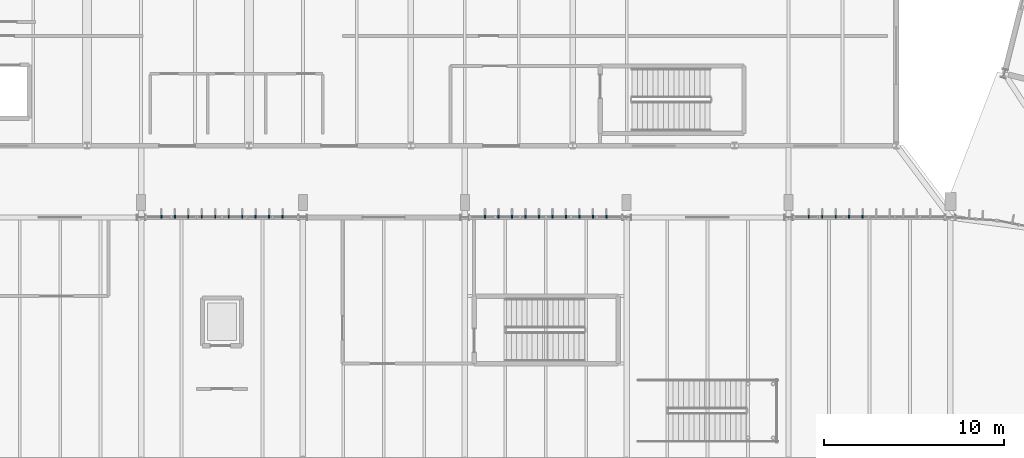
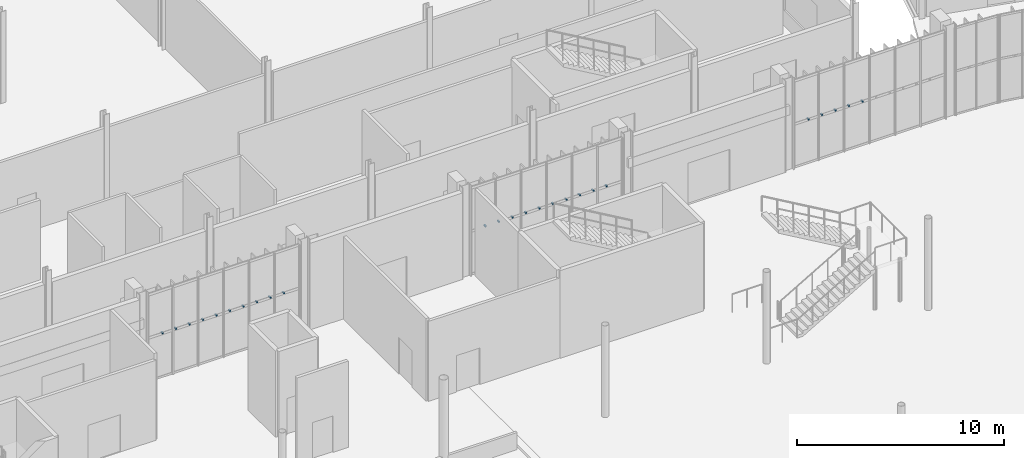
# One storey, part 138 of 158: 25 discrete accessories.
"""IFC4 building model written with IfcOpenShell, lengths in metres."""

from ifc_helpers import new_model, si_unit, derived_unit, direction, frame, origin, origin_2d, place, context, subcontext, project, spatial, rectangle, extrude, material, type_object, element, save


model = new_model("IFC4")

# Units and contexts
model_context = context("Model", 3, precision=1e-05, world=origin(), true_north=direction((0.0, 1.0)))
body_context = subcontext(model_context, "Body", "Model", "MODEL_VIEW")
ifc_project = project(units=[si_unit("LENGTHUNIT", "METRE"), si_unit("AREAUNIT", "SQUARE_METRE"), si_unit("VOLUMEUNIT", "CUBIC_METRE"), si_unit("PLANEANGLEUNIT", "RADIAN"), si_unit("MASSUNIT", "GRAM", prefix="KILO"), si_unit("THERMODYNAMICTEMPERATUREUNIT", "KELVIN"), si_unit("TIMEUNIT", "SECOND"), derived_unit("THERMALTRANSMITTANCEUNIT", [(si_unit("MASSUNIT", "GRAM", prefix="KILO"), 1), (si_unit("THERMODYNAMICTEMPERATUREUNIT", "KELVIN"), -1), (si_unit("TIMEUNIT", "SECOND"), -3)])], contexts=[model_context])

# Site, building, storey
site_placement = place(None, origin())
site = spatial("IfcSite", under=ifc_project, at=site_placement, CompositionType="ELEMENT")
building_placement = place(site_placement, origin())
building = spatial("IfcBuilding", under=site, at=building_placement, Name="Cambertide Market Hall", CompositionType="ELEMENT")
storey_placement = place(building_placement, origin())
storey = spatial("IfcBuildingStorey", under=building, at=storey_placement, Name="L01", CompositionType="ELEMENT", Elevation=0.0)

# Discrete accessories
ifc_material = material(Name="Stainless Steel Grade 316", Category="metal")
discrete_accessory_type = type_object("IfcDiscreteAccessoryType", Name="Stainless Fin Outrigger Tie Bracket", PredefinedType="BRACKET", material=ifc_material)
for number, where, z_axis, x_axis, name in (
    (1, (61.125, 92.0400390625, 2.5400390625), (0.0, 0.0, 1.0), (1.0, 0.0, 0.0), "CW-V1N-L01-3 Fin Tie Bracket 1"),
    (2, (61.875, 92.0400390625, 2.5400390625), (0.0, 0.0, 1.0), (1.0, 0.0, 0.0), "CW-V1N-L01-3 Fin Tie Bracket 2"),
    (3, (62.625, 92.0400390625, 2.5400390625), (0.0, 0.0, 1.0), (1.0, 0.0, 0.0), "CW-V1N-L01-3 Fin Tie Bracket 3"),
    (4, (63.375, 92.0400390625, 2.5400390625), (0.0, 0.0, 1.0), (1.0, 0.0, 0.0), "CW-V1N-L01-3 Fin Tie Bracket 4"),
    (5, (64.125, 92.0400390625, 2.5400390625), (0.0, 0.0, 1.0), (1.0, 0.0, 0.0), "CW-V1N-L01-3 Fin Tie Bracket 5"),
    (6, (64.875, 92.0400390625, 2.5400390625), (0.0, 0.0, 1.0), (1.0, 0.0, 0.0), "CW-V1N-L01-3 Fin Tie Bracket 6"),
    (7, (65.625, 92.0400390625, 2.5400390625), (0.0, 0.0, 1.0), (1.0, 0.0, 0.0), "CW-V1N-L01-3 Fin Tie Bracket 7"),
    (8, (66.375, 92.0400390625, 2.5400390625), (0.0, 0.0, 1.0), (1.0, 0.0, 0.0), "CW-V1N-L01-3 Fin Tie Bracket 8"),
    (9, (67.125, 92.0400390625, 2.5400390625), (0.0, 0.0, 1.0), (1.0, 0.0, 0.0), "CW-V1N-L01-3 Fin Tie Bracket 9"),
    (10, (67.875, 92.0400390625, 2.5400390625), (0.0, 0.0, 1.0), (1.0, 0.0, 0.0), "CW-V1N-L01-3 Fin Tie Bracket 10"),
    (11, (79.125, 92.0400390625, 2.5400390625), (0.0, 0.0, 1.0), (1.0, 0.0, 0.0), "CW-V1N-L01-5 Fin Tie Bracket 1"),
    (12, (79.875, 92.0400390625, 2.5400390625), (0.0, 0.0, 1.0), (1.0, 0.0, 0.0), "CW-V1N-L01-5 Fin Tie Bracket 2"),
    (13, (80.625, 92.0400390625, 2.5400390625), (0.0, 0.0, 1.0), (1.0, 0.0, 0.0), "CW-V1N-L01-5 Fin Tie Bracket 3"),
    (14, (81.375, 92.0400390625, 2.5400390625), (0.0, 0.0, 1.0), (1.0, 0.0, 0.0), "CW-V1N-L01-5 Fin Tie Bracket 4"),
    (15, (82.125, 92.0400390625, 2.5400390625), (0.0, 0.0, 1.0), (1.0, 0.0, 0.0), "CW-V1N-L01-5 Fin Tie Bracket 5"),
    (16, (82.875, 92.0400390625, 2.5400390625), (0.0, 0.0, 1.0), (1.0, 0.0, 0.0), "CW-V1N-L01-5 Fin Tie Bracket 6"),
    (17, (83.625, 92.0400390625, 2.5400390625), (0.0, 0.0, 1.0), (1.0, 0.0, 0.0), "CW-V1N-L01-5 Fin Tie Bracket 7"),
    (18, (84.375, 92.0400390625, 2.5400390625), (0.0, 0.0, 1.0), (1.0, 0.0, 0.0), "CW-V1N-L01-5 Fin Tie Bracket 8"),
    (19, (85.125, 92.0400390625, 2.5400390625), (0.0, 0.0, 1.0), (1.0, 0.0, 0.0), "CW-V1N-L01-5 Fin Tie Bracket 9"),
    (20, (85.875, 92.0400390625, 2.5400390625), (0.0, 0.0, 1.0), (1.0, 0.0, 0.0), "CW-V1N-L01-5 Fin Tie Bracket 10"),
    (21, (97.125, 92.0400390625, 2.5400390625), (0.0, 0.0, 1.0), (1.0, 0.0, 0.0), "CW-V1N-L01-7 Fin Tie Bracket 1"),
    (22, (97.875, 92.0400390625, 2.5400390625), (0.0, 0.0, 1.0), (1.0, 0.0, 0.0), "CW-V1N-L01-7 Fin Tie Bracket 2"),
    (23, (98.625, 92.0400390625, 2.5400390625), (0.0, 0.0, 1.0), (1.0, 0.0, 0.0), "CW-V1N-L01-7 Fin Tie Bracket 3"),
    (24, (99.375, 92.0400390625, 2.5400390625), (0.0, 0.0, 1.0), (1.0, 0.0, 0.0), "CW-V1N-L01-7 Fin Tie Bracket 4"),
    (25, (100.125, 92.0400390625, 2.5400390625), (0.0, 0.0, 1.0), (1.0, 0.0, 0.0), "CW-V1N-L01-7 Fin Tie Bracket 5"),
):
    element("IfcDiscreteAccessory", number, at=place(storey_placement, frame(where, z_axis=z_axis, x_axis=x_axis)), inside=storey, type_object=discrete_accessory_type, Name=name, PredefinedType="BRACKET", context=body_context, shape_type="SweptSolid", body=[
        extrude(rectangle(XDim=0.080078125, YDim=0.159912109375, at=origin_2d()), origin(), (0.0, 0.0, 1.0), 0.080078125),
    ])

save(model, "model.ifc")
